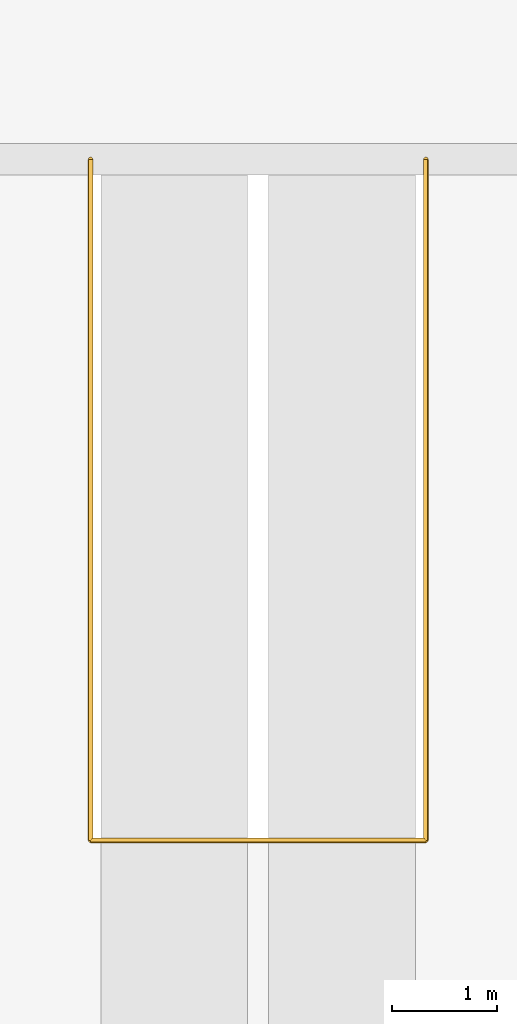
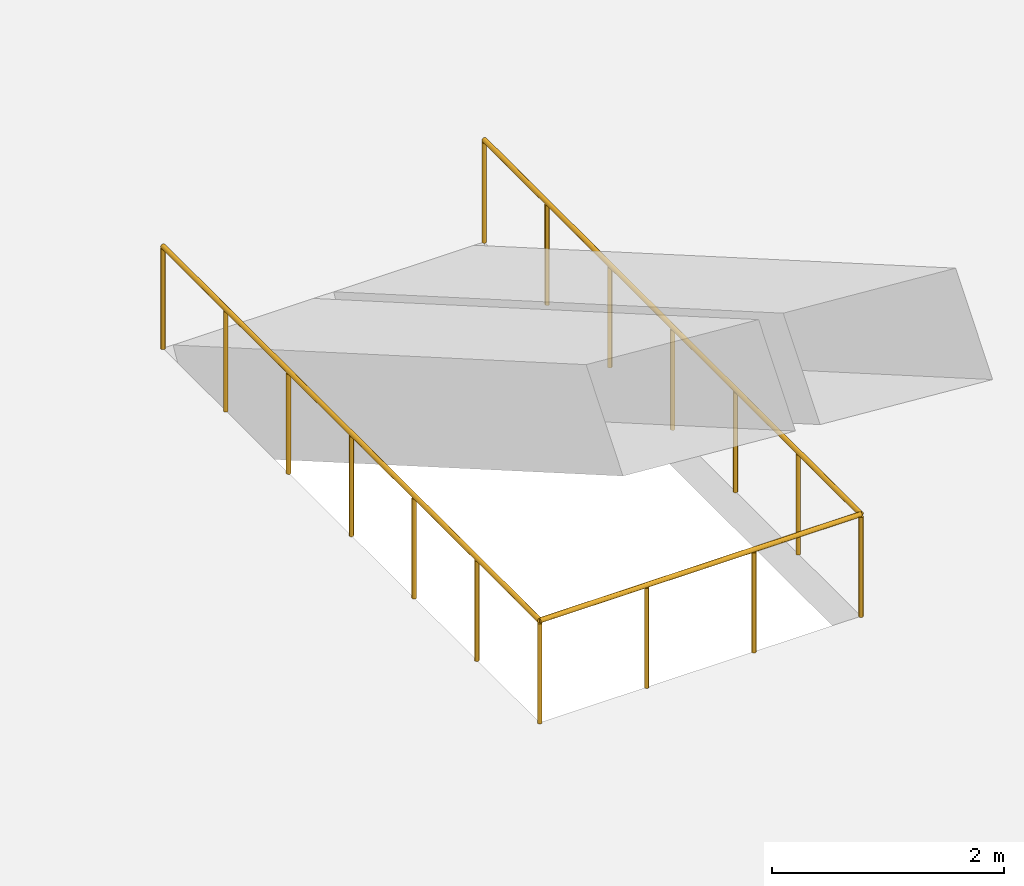
# One storey, part 20 of 25: 1 railing.
"""IFC4 building model written with IfcOpenShell, lengths in metres."""

from ifc_helpers import new_model, si_unit, direction, frame, origin, origin_2d, place, context, subcontext, project, spatial, circle, extrude, material, type_object, element, save


model = new_model("IFC4")

# Units and contexts
model_context = context("Model", 3, precision=1e-05, world=origin(), true_north=direction((0.0, 1.0)))
body_context = subcontext(model_context, "Body", "Model", "MODEL_VIEW")
ifc_project = project(units=[si_unit("LENGTHUNIT", "METRE"), si_unit("AREAUNIT", "SQUARE_METRE"), si_unit("VOLUMEUNIT", "CUBIC_METRE"), si_unit("PLANEANGLEUNIT", "RADIAN"), si_unit("MASSUNIT", "GRAM", prefix="KILO")], contexts=[model_context])

# Site, building, storey
site_placement = place(None, origin())
site = spatial("IfcSite", under=ifc_project, at=site_placement, CompositionType="ELEMENT")
building_placement = place(site_placement, origin())
building = spatial("IfcBuilding", under=site, at=building_placement, Name="Tel Ilan Convention Tower", CompositionType="ELEMENT")
storey_placement = place(building_placement, frame((0.0, 0.0, 26.0)))
storey = spatial("IfcBuildingStorey", under=building, at=storey_placement, Name="L03", CompositionType="ELEMENT", Elevation=26.0)

# Railing
ifc_material = material(Name="Stainless Steel Grade 316", Category="steel")
railing_type = type_object("IfcRailingType", Name="Stainless Steel Escalator Opening Guard 1100 mm", PredefinedType="GUARDRAIL", material=ifc_material)
railing_placement = place(storey_placement, frame((-1.60009765625, -38.1435546875, 0.0)))
element("IfcRailing", 1, at=railing_placement, inside=storey, type_object=railing_type, Name="L03 escalator opening guard", PredefinedType="GUARDRAIL", context=body_context, shape_type="SweptSolid", body=[
    extrude(circle(Radius=0.02392578125, at=origin_2d()), frame((0.0, 0.0, 1.076171875), z_axis=(0.0, -1.0, 0.0), x_axis=(1.0, 0.0, 0.0)), (0.0, 0.0, 1.0), 6.5),
    extrude(circle(Radius=0.02392578125, at=origin_2d()), frame((0.0, -6.5, 1.076171875), z_axis=(1.0, 0.0, 0.0), x_axis=(0.0, 1.0, 0.0)), (0.0, 0.0, 1.0), 3.2001953125),
    extrude(circle(Radius=0.02392578125, at=origin_2d()), frame((3.2001953125, -6.5, 1.076171875), z_axis=(0.0, 1.0, 0.0), x_axis=(-1.0, 0.0, 0.0)), (0.0, 0.0, 1.0), 6.5),
    extrude(circle(Radius=0.02099609375, at=origin_2d()), origin(), (0.0, 0.0, 1.0), 1.052001953125),
    extrude(circle(Radius=0.02099609375, at=origin_2d()), frame((0.0, -1.083251953125, 0.0)), (0.0, 0.0, 1.0), 1.052001953125),
    extrude(circle(Radius=0.02099609375, at=origin_2d()), frame((0.0, -2.166748046875, 0.0)), (0.0, 0.0, 1.0), 1.052001953125),
    extrude(circle(Radius=0.02099609375, at=origin_2d()), frame((0.0, -3.25, 0.0)), (0.0, 0.0, 1.0), 1.052001953125),
    extrude(circle(Radius=0.02099609375, at=origin_2d()), frame((0.0, -4.333251953125, 0.0)), (0.0, 0.0, 1.0), 1.052001953125),
    extrude(circle(Radius=0.02099609375, at=origin_2d()), frame((0.0, -5.416748046875, 0.0)), (0.0, 0.0, 1.0), 1.052001953125),
    extrude(circle(Radius=0.02099609375, at=origin_2d()), frame((0.0, -6.5, 0.0)), (0.0, 0.0, 1.0), 1.052001953125),
    extrude(circle(Radius=0.02099609375, at=origin_2d()), frame((1.066650390625, -6.5, 0.0)), (0.0, 0.0, 1.0), 1.052001953125),
    extrude(circle(Radius=0.02099609375, at=origin_2d()), frame((2.133544921875, -6.5, 0.0)), (0.0, 0.0, 1.0), 1.052001953125),
    extrude(circle(Radius=0.02099609375, at=origin_2d()), frame((3.2001953125, -6.5, 0.0)), (0.0, 0.0, 1.0), 1.052001953125),
    extrude(circle(Radius=0.02099609375, at=origin_2d()), frame((3.2001953125, -5.416748046875, 0.0)), (0.0, 0.0, 1.0), 1.052001953125),
    extrude(circle(Radius=0.02099609375, at=origin_2d()), frame((3.2001953125, -4.333251953125, 0.0)), (0.0, 0.0, 1.0), 1.052001953125),
    extrude(circle(Radius=0.02099609375, at=origin_2d()), frame((3.2001953125, -3.25, 0.0)), (0.0, 0.0, 1.0), 1.052001953125),
    extrude(circle(Radius=0.02099609375, at=origin_2d()), frame((3.2001953125, -2.166748046875, 0.0)), (0.0, 0.0, 1.0), 1.052001953125),
    extrude(circle(Radius=0.02099609375, at=origin_2d()), frame((3.2001953125, -1.083251953125, 0.0)), (0.0, 0.0, 1.0), 1.052001953125),
    extrude(circle(Radius=0.02099609375, at=origin_2d()), frame((3.2001953125, 0.0, 0.0)), (0.0, 0.0, 1.0), 1.052001953125),
])

save(model, "model.ifc")
